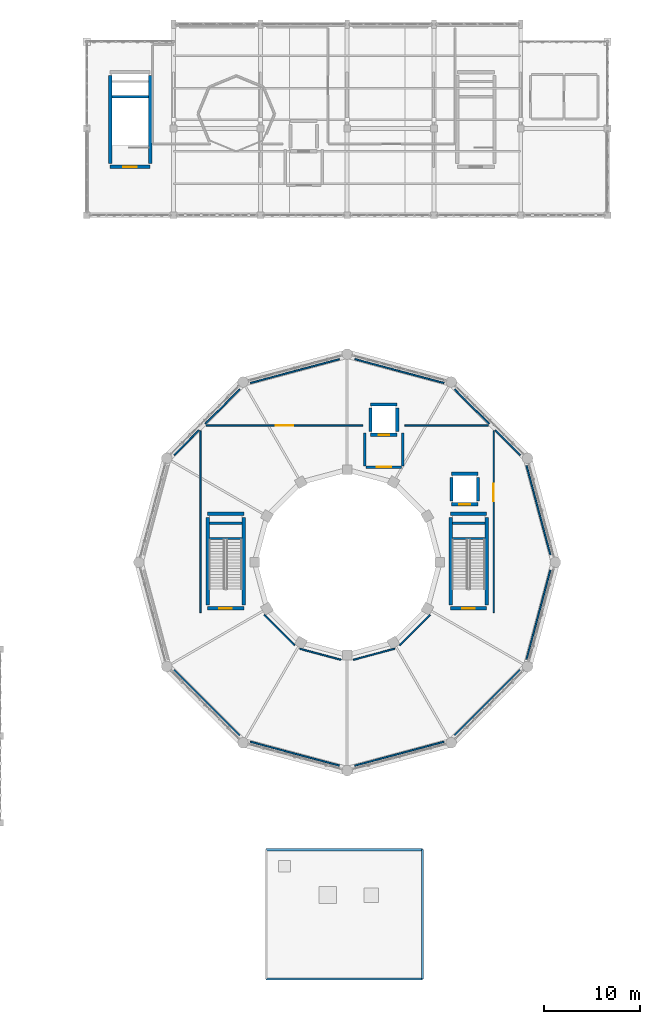
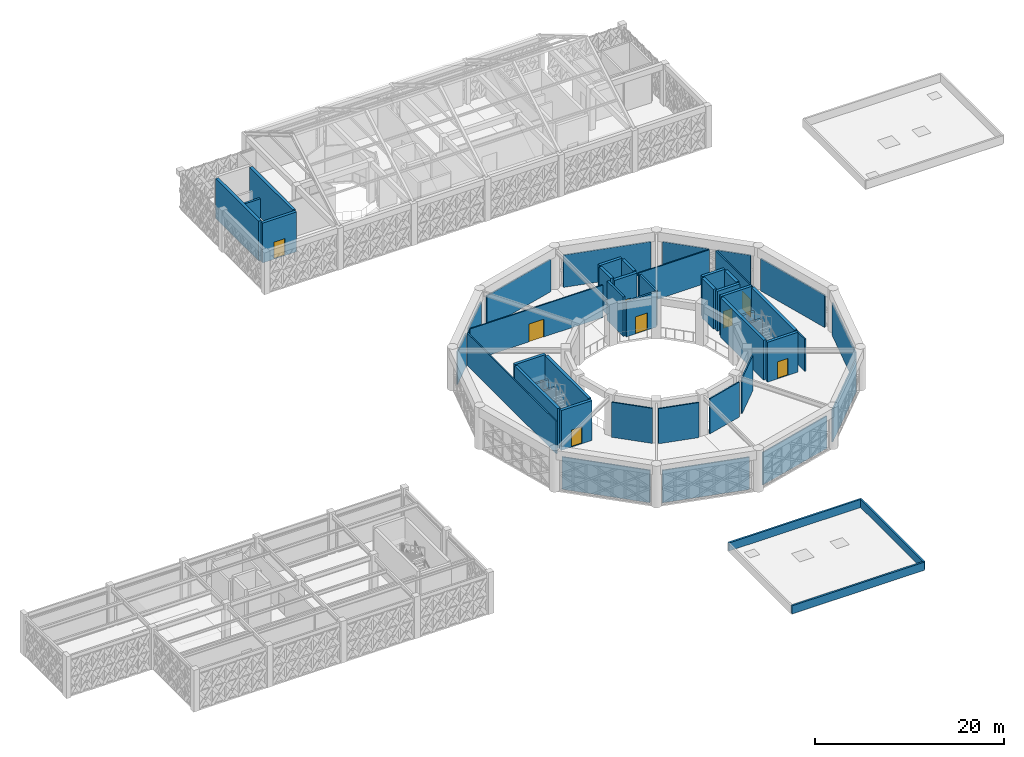
# One storey, part 65 of 72: 50 walls, 8 doors, 8 openings.
"""IFC4 building model written with IfcOpenShell, lengths in metres."""

from ifc_helpers import new_model, si_unit, direction, frame, frame_2d, origin, place, context, subcontext, project, spatial, rectangle, extrude, material, layer, layer_set, type_object, element, fill, save


model = new_model("IFC4")

# Units and contexts
model_context = context("Model", 3, precision=1e-05, world=origin(), true_north=direction((0.0, 1.0)))
body_context = subcontext(model_context, "Body", "Model", "MODEL_VIEW")
ifc_project = project(units=[si_unit("LENGTHUNIT", "METRE"), si_unit("AREAUNIT", "SQUARE_METRE"), si_unit("VOLUMEUNIT", "CUBIC_METRE"), si_unit("PLANEANGLEUNIT", "RADIAN"), si_unit("MASSUNIT", "GRAM", prefix="KILO")], contexts=[model_context])

# Site, building, storey
site_placement = place(None, origin())
site = spatial("IfcSite", under=ifc_project, at=site_placement, CompositionType="ELEMENT")
building_placement = place(site_placement, origin())
building = spatial("IfcBuilding", under=site, at=building_placement, Name="Haizhuo Lancet Aquarium", CompositionType="ELEMENT")
storey_placement = place(building_placement, frame((0.0, 0.0, 21.60009765625)))
storey = spatial("IfcBuildingStorey", under=building, at=storey_placement, Name="L04", CompositionType="ELEMENT", Elevation=21.60009765625)

# Walls
ifc_material_1 = material(Name="Shandong Grey Limestone Ashlar", Category="masonry")
ifc_layer_1 = layer(ifc_material_1, 0.219970703125)
ifc_layer_set_1 = layer_set([ifc_layer_1], Name="Shandong Grey Limestone Ashlar")
wall_type_1 = type_object("IfcWallType", Name="EWL-PAR-220", PredefinedType="PARAPET", material=ifc_layer_set_1)
wall_1_placement = place(storey_placement, frame((-8.39990234375, -29.800048828125, 0.0), z_axis=(0.0, 0.0, 1.0), x_axis=(1.0, 0.0, 0.0)))
element("IfcWall", 1, at=wall_1_placement, inside=storey, type_object=wall_type_1, Name="L04 V4 penthouse roof parapet 1", PredefinedType="PARAPET", context=body_context, shape_type="SweptSolid", body=[
    extrude(rectangle(XDim=16.199951171875, YDim=0.219970703125, at=frame_2d((8.10009765625, 0.0))), origin(), (0.0, 0.0, 1.0), 1.0498046875),
])
wall_2_placement = place(storey_placement, frame((7.800048828125, -29.800048828125, 0.0), z_axis=(0.0, 0.0, 1.0), x_axis=(0.0, -1.0, 0.0)))
element("IfcWall", 2, at=wall_2_placement, inside=storey, type_object=wall_type_1, Name="L04 V4 penthouse roof parapet 2", PredefinedType="PARAPET", context=body_context, shape_type="SweptSolid", body=[
    extrude(rectangle(XDim=13.39990234375, YDim=0.219970703125, at=frame_2d((6.699951171875, 0.0))), origin(), (0.0, 0.0, 1.0), 1.0498046875),
])
wall_3_placement = place(storey_placement, frame((7.800048828125, -43.199951171875, 0.0), z_axis=(0.0, 0.0, 1.0), x_axis=(-1.0, 0.0, 0.0)))
element("IfcWall", 3, at=wall_3_placement, inside=storey, type_object=wall_type_1, Name="L04 V4 penthouse roof parapet 3", PredefinedType="PARAPET", context=body_context, shape_type="SweptSolid", body=[
    extrude(rectangle(XDim=16.199951171875, YDim=0.219970703125, at=frame_2d((8.10009765625, 0.0))), origin(), (0.0, 0.0, 1.0), 1.0498046875),
])

# Wall, opening, door
ifc_material_2 = material(Name="Concrete C40/50", Category="concrete")
ifc_layer_2 = layer(ifc_material_2, 0.239990234375)
ifc_layer_set_2 = layer_set([ifc_layer_2], Name="Concrete C40/50")
wall_type_2 = type_object("IfcWallType", Name="IWL-FIRE-240", PredefinedType="PARTITIONING", material=ifc_layer_set_2)
wall_4_placement = place(storey_placement, frame((1.949951171875, 9.8798828125, 0.0), z_axis=(0.0, 0.0, 1.0), x_axis=(1.0, 0.0, 0.0)))
wall_4 = element("IfcWall", 4, at=wall_4_placement, inside=storey, type_object=wall_type_2, Name="L04 LF-01 firefighting lift lobby firewall S", PredefinedType="PARTITIONING", context=body_context, shape_type="SweptSolid", body=[
    extrude(rectangle(XDim=3.699951171875, YDim=0.239990234375, at=frame_2d((1.85009765625, 0.0))), origin(), (0.0, 0.0, 1.0), 4.534912109375),
])
opening_1_placement = place(wall_4_placement, frame((1.10009765625, 0.0, 0.0)))
opening_1 = element("IfcOpeningElement", 5, at=opening_1_placement, cuts=wall_4, Name="Opening FD-03", PredefinedType="OPENING", context=body_context, shape_type="SweptSolid", body=[
    extrude(rectangle(XDim=1.5, YDim=2.199951171875, at=frame_2d((0.75, 1.10009765625))), frame((0.0, 0.1298828125, 0.0), z_axis=(0.0, -1.0, 0.0), x_axis=(1.0, 0.0, 0.0)), (0.0, 0.0, 1.0), 0.25999),
])
ifc_material_3 = material(Name="Steel S355", Category="steel")
door_type_1 = type_object("IfcDoorType", Name="IDR-FFL-1500x2200", OperationType="NOTDEFINED", PredefinedType="DOOR", material=ifc_material_3)
door_1_placement = place(opening_1_placement, origin())
door_1 = element("IfcDoor", 6, at=door_1_placement, inside=storey, type_object=door_type_1, Name="L04 LF-01 firefighting lift lobby door", OperationType="SINGLE_SWING_RIGHT", OverallHeight=2.199951171875, OverallWidth=1.5, PredefinedType="DOOR", context=body_context, shape_type="SweptSolid", body=[
    extrude(rectangle(XDim=1.5, YDim=2.199951171875, at=frame_2d((0.75, 1.10009765625))), frame((0.0, 0.02490234375, 0.0), z_axis=(0.0, -1.0, 0.0), x_axis=(1.0, 0.0, 0.0)), (0.0, 0.0, 1.0), 0.050048828125),
])
fill(opening_1, door_1)

# Walls
wall_5_placement = place(storey_placement, frame((1.830078125, 10.0, 0.0), z_axis=(0.0, 0.0, 1.0), x_axis=(0.0, 1.0, 0.0)))
element("IfcWall", 7, at=wall_5_placement, inside=storey, type_object=wall_type_2, Name="L04 LF-01 firefighting lift lobby firewall W", PredefinedType="PARTITIONING", context=body_context, shape_type="SweptSolid", body=[
    extrude(rectangle(XDim=3.39990234375, YDim=0.239990234375, at=frame_2d((1.699951171875, 0.0))), origin(), (0.0, 0.0, 1.0), 5.099853515625),
])
wall_6_placement = place(storey_placement, frame((5.77001953125, 10.0, 0.0), z_axis=(0.0, 0.0, 1.0), x_axis=(0.0, 1.0, 0.0)))
element("IfcWall", 8, at=wall_6_placement, inside=storey, type_object=wall_type_2, Name="L04 LF-01 firefighting lift lobby firewall E", PredefinedType="PARTITIONING", context=body_context, shape_type="SweptSolid", body=[
    extrude(rectangle(XDim=3.39990234375, YDim=0.239990234375, at=frame_2d((1.699951171875, 0.0))), origin(), (0.0, 0.0, 1.0), 4.534912109375),
])
ifc_material_4 = material(Name="Gypsum Fireboard Partition")
ifc_layer_3 = layer(ifc_material_4, 0.14990234375)
ifc_layer_set_3 = layer_set([ifc_layer_3], Name="Gypsum Fireboard Partition")
wall_type_3 = type_object("IfcWallType", Name="IWL-STD-150", PredefinedType="PARTITIONING", material=ifc_layer_set_3)
wall_7_placement = place(storey_placement, frame((-17.946044921875, -11.135009765625, 0.0), z_axis=(0.0, 0.0, 1.0), x_axis=(0.707056083443, -0.707157475295, 0.0)))
element("IfcWall", 9, at=wall_7_placement, inside=storey, type_object=wall_type_3, Name="L04 partition wall 523", PredefinedType="PARTITIONING", context=body_context, shape_type="SweptSolid", body=[
    extrude(rectangle(XDim=9.631591796875, YDim=0.14990234375, at=frame_2d((4.81591796875, 0.0))), origin(), (0.0, 0.0, 1.0), 4.184814453125),
])
wall_8_placement = place(storey_placement, frame((-10.0400390625, -18.59912109375, 0.0), z_axis=(0.0, 0.0, 1.0), x_axis=(0.965936310931, -0.258779912716, 0.0)))
element("IfcWall", 10, at=wall_8_placement, inside=storey, type_object=wall_type_3, Name="L04 partition wall 524", PredefinedType="PARTITIONING", context=body_context, shape_type="SweptSolid", body=[
    extrude(rectangle(XDim=9.559814453125, YDim=0.14990234375, at=frame_2d((4.77978515625, 0.0))), origin(), (0.0, 0.0, 1.0), 4.184814453125),
])
wall_9_placement = place(storey_placement, frame((0.787109375, -21.076904296875, 0.0), z_axis=(0.0, 0.0, 1.0), x_axis=(0.965965793981, 0.258669837549, 0.0)))
element("IfcWall", 11, at=wall_9_placement, inside=storey, type_object=wall_type_3, Name="L04 partition wall 525", PredefinedType="PARTITIONING", context=body_context, shape_type="SweptSolid", body=[
    extrude(rectangle(XDim=9.578857421875, YDim=0.14990234375, at=frame_2d((4.78955078125, 0.0))), origin(), (0.0, 0.0, 1.0), 4.184814453125),
])
wall_10_placement = place(storey_placement, frame((11.12890625, -17.946044921875, 0.0), z_axis=(0.0, 0.0, 1.0), x_axis=(0.707474066545, 0.706739304953, 0.0)))
element("IfcWall", 12, at=wall_10_placement, inside=storey, type_object=wall_type_3, Name="L04 partition wall 526", PredefinedType="PARTITIONING", context=body_context, shape_type="SweptSolid", body=[
    extrude(rectangle(XDim=9.635986328125, YDim=0.14990234375, at=frame_2d((4.81787109375, 0.0))), origin(), (0.0, 0.0, 1.0), 4.184814453125),
])
wall_11_placement = place(storey_placement, frame((18.59912109375, -10.0400390625, 0.0), z_axis=(0.0, 0.0, 1.0), x_axis=(0.258779912716, 0.965936310931, 0.0)))
element("IfcWall", 13, at=wall_11_placement, inside=storey, type_object=wall_type_3, Name="L04 partition wall 527", PredefinedType="PARTITIONING", context=body_context, shape_type="SweptSolid", body=[
    extrude(rectangle(XDim=9.559814453125, YDim=0.14990234375, at=frame_2d((4.77978515625, 0.0))), origin(), (0.0, 0.0, 1.0), 4.184814453125),
])
wall_12_placement = place(storey_placement, frame((21.076904296875, 0.787109375, 0.0), z_axis=(0.0, 0.0, 1.0), x_axis=(-0.258883855342, 0.965908458107, 0.0)))
element("IfcWall", 14, at=wall_12_placement, inside=storey, type_object=wall_type_3, Name="L04 partition wall 528", PredefinedType="PARTITIONING", context=body_context, shape_type="SweptSolid", body=[
    extrude(rectangle(XDim=9.57958984375, YDim=0.14990234375, at=frame_2d((4.789794921875, 0.0))), origin(), (0.0, 0.0, 1.0), 4.184814453125),
])
wall_13_placement = place(storey_placement, frame((17.946044921875, 11.135009765625, 0.0), z_axis=(0.0, 0.0, 1.0), x_axis=(-0.706972707094, 0.707240829862, 0.0)))
element("IfcWall", 15, at=wall_13_placement, inside=storey, type_object=wall_type_3, Name="L04 partition wall 529", PredefinedType="PARTITIONING", context=body_context, shape_type="SweptSolid", body=[
    extrude(rectangle(XDim=3.642333984375, YDim=0.14990234375, at=frame_2d((1.8212890625, 0.0))), origin(), (0.0, 0.0, 1.0), 4.184814453125),
])

# Wall, opening, door
wall_14_placement = place(storey_placement, frame((15.199951171875, 13.639892578125, 0.0), z_axis=(0.0, 0.0, 1.0), x_axis=(0.0, -1.0, 0.0)))
wall_14 = element("IfcWall", 16, at=wall_14_placement, inside=storey, type_object=wall_type_3, Name="L04 partition wall 530", PredefinedType="PARTITIONING", context=body_context, shape_type="SweptSolid", body=[
    extrude(rectangle(XDim=18.83984375, YDim=0.14990234375, at=frame_2d((9.419921875, 0.0))), origin(), (0.0, 0.0, 1.0), 4.184814453125),
])
opening_2_placement = place(wall_14_placement, frame((5.506103515625, 0.0, 0.0)))
opening_2 = element("IfcOpeningElement", 17, at=opening_2_placement, cuts=wall_14, Name="Opening D-02", PredefinedType="OPENING", context=body_context, shape_type="SweptSolid", body=[
    extrude(rectangle(XDim=1.800048828125, YDim=2.300048828125, at=frame_2d((0.89990234375, 1.14990234375))), frame((0.0, 0.0849609375, 0.0), z_axis=(0.0, -1.0, 0.0), x_axis=(1.0, 0.0, 0.0)), (0.0, 0.0, 1.0), 0.169902),
])
ifc_material_5 = material(Name="Aluminium 6063-T6", Category="aluminium")
door_type_2 = type_object("IfcDoorType", Name="IDR-GAL-1800x2300", OperationType="NOTDEFINED", PredefinedType="DOOR", material=ifc_material_5)
door_2_placement = place(opening_2_placement, origin())
door_2 = element("IfcDoor", 18, at=door_2_placement, inside=storey, type_object=door_type_2, Name="L04 Ocean Tank Surface Overlook Gallery door", OperationType="DOUBLE_DOOR_SINGLE_SWING", OverallHeight=2.300048828125, OverallWidth=1.800048828125, PredefinedType="DOOR", context=body_context, shape_type="SweptSolid", body=[
    extrude(rectangle(XDim=1.800048828125, YDim=2.300048828125, at=frame_2d((0.89990234375, 1.14990234375))), frame((0.0, 0.02490234375, 0.0), z_axis=(0.0, -1.0, 0.0), x_axis=(1.0, 0.0, 0.0)), (0.0, 0.0, 1.0), 0.050048828125),
])
fill(opening_2, door_2)

# Walls
wall_15_placement = place(storey_placement, frame((8.593017578125, -5.43994140625, 0.0), z_axis=(0.0, 0.0, 1.0), x_axis=(-0.707106781187, -0.707106781187, 0.0)))
element("IfcWall", 19, at=wall_15_placement, inside=storey, type_object=wall_type_3, Name="L04 partition wall 531", PredefinedType="PARTITIONING", context=body_context, shape_type="SweptSolid", body=[
    extrude(rectangle(XDim=4.459228515625, YDim=0.14990234375, at=frame_2d((2.2294921875, 0.0))), origin(), (0.0, 0.0, 1.0), 4.534912109375),
])
for number, where, z_axis, x_axis, name in (
    (20, (4.922119140625, -8.9541015625, 0.0), (0.0, 0.0, 1.0), (-0.965895929323, -0.258930596333, 0.0), "L04 partition wall 532"),
    (21, (-0.639892578125, -10.10205078125, 0.0), (0.0, 0.0, 1.0), (-0.965895929323, 0.258930596333, 0.0), "L04 partition wall 533"),
):
    element("IfcWall", number, at=place(storey_placement, frame(where, z_axis=z_axis, x_axis=x_axis)), inside=storey, type_object=wall_type_3, Name=name, PredefinedType="PARTITIONING", context=body_context, shape_type="SweptSolid", body=[
        extrude(rectangle(XDim=4.433349609375, YDim=0.14990234375, at=frame_2d((2.216796875, 0.0))), origin(), (0.0, 0.0, 1.0), 4.534912109375),
    ])
wall_16_placement = place(storey_placement, frame((-5.43994140625, -8.593017578125, 0.0), z_axis=(0.0, 0.0, 1.0), x_axis=(-0.707106781187, 0.707106781187, 0.0)))
element("IfcWall", 22, at=wall_16_placement, inside=storey, type_object=wall_type_3, Name="L04 partition wall 534", PredefinedType="PARTITIONING", context=body_context, shape_type="SweptSolid", body=[
    extrude(rectangle(XDim=4.459228515625, YDim=0.14990234375, at=frame_2d((2.2294921875, 0.0))), origin(), (0.0, 0.0, 1.0), 4.534912109375),
])
wall_17_placement = place(storey_placement, frame((-15.199951171875, -5.199951171875, 0.0), z_axis=(0.0, 0.0, 1.0), x_axis=(0.0, 1.0, 0.0)))
element("IfcWall", 23, at=wall_17_placement, inside=storey, type_object=wall_type_3, Name="L04 partition wall 535", PredefinedType="PARTITIONING", context=body_context, shape_type="SweptSolid", body=[
    extrude(rectangle(XDim=18.83984375, YDim=0.14990234375, at=frame_2d((9.419921875, 0.0))), origin(), (0.0, 0.0, 1.0), 4.184814453125),
])
wall_18_placement = place(storey_placement, frame((-15.37109375, 13.7109375, 0.0), z_axis=(0.0, 0.0, 1.0), x_axis=(-0.706972707094, -0.707240829862, 0.0)))
element("IfcWall", 24, at=wall_18_placement, inside=storey, type_object=wall_type_3, Name="L04 partition wall 536", PredefinedType="PARTITIONING", context=body_context, shape_type="SweptSolid", body=[
    extrude(rectangle(XDim=3.642333984375, YDim=0.14990234375, at=frame_2d((1.8212890625, 0.0))), origin(), (0.0, 0.0, 1.0), 4.184814453125),
])

# Wall, opening, door
wall_19_placement = place(storey_placement, frame((-14.639892578125, 14.199951171875, 0.0), z_axis=(0.0, 0.0, 1.0), x_axis=(1.0, 0.0, 0.0)))
wall_19 = element("IfcWall", 25, at=wall_19_placement, inside=storey, type_object=wall_type_3, Name="L04 partition wall 538", PredefinedType="PARTITIONING", context=body_context, shape_type="SweptSolid", body=[
    extrude(rectangle(XDim=16.264892578125, YDim=0.14990234375, at=frame_2d((8.13232421875, 0.0))), origin(), (0.0, 0.0, 1.0), 4.184814453125),
])
opening_3_placement = place(wall_19_placement, frame((7.23193359375, 0.0, 0.0)))
opening_3 = element("IfcOpeningElement", 26, at=opening_3_placement, cuts=wall_19, Name="Opening D-02", PredefinedType="OPENING", context=body_context, shape_type="SweptSolid", body=[
    extrude(rectangle(XDim=1.800048828125, YDim=2.300048828125, at=frame_2d((0.89990234375, 1.14990234375))), frame((0.0, 0.0849609375, 0.0), z_axis=(0.0, -1.0, 0.0), x_axis=(1.0, 0.0, 0.0)), (0.0, 0.0, 1.0), 0.169902),
])
door_3_placement = place(opening_3_placement, origin())
door_3 = element("IfcDoor", 27, at=door_3_placement, inside=storey, type_object=door_type_2, Name="L04 Ocean Tank Surface Overlook Gallery door", OperationType="DOUBLE_DOOR_SINGLE_SWING", OverallHeight=2.300048828125, OverallWidth=1.800048828125, PredefinedType="DOOR", context=body_context, shape_type="SweptSolid", body=[
    extrude(rectangle(XDim=1.800048828125, YDim=2.300048828125, at=frame_2d((0.89990234375, 1.14990234375))), frame((0.0, 0.02490234375, 0.0), z_axis=(0.0, -1.0, 0.0), x_axis=(1.0, 0.0, 0.0)), (0.0, 0.0, 1.0), 0.050048828125),
])
fill(opening_3, door_3)

# Walls
wall_20_placement = place(storey_placement, frame((5.97509765625, 14.201904296875, 0.0), z_axis=(0.0, 0.0, 1.0), x_axis=(0.999999974595, -0.000225409253, 0.0)))
element("IfcWall", 28, at=wall_20_placement, inside=storey, type_object=wall_type_3, Name="L04 partition wall 539", PredefinedType="PARTITIONING", context=body_context, shape_type="SweptSolid", body=[
    extrude(rectangle(XDim=8.664794921875, YDim=0.14990234375, at=frame_2d((4.33251953125, 0.0))), origin(), (0.0, 0.0, 1.0), 4.184814453125),
])
wall_21_placement = place(storey_placement, frame((14.7109375, 14.37109375, 0.0), z_axis=(0.0, 0.0, 1.0), x_axis=(-0.707203340899, 0.707010208287, 0.0)))
element("IfcWall", 29, at=wall_21_placement, inside=storey, type_object=wall_type_3, Name="L04 partition wall 540", PredefinedType="PARTITIONING", context=body_context, shape_type="SweptSolid", body=[
    extrude(rectangle(XDim=5.056396484375, YDim=0.14990234375, at=frame_2d((2.5283203125, 0.0))), origin(), (0.0, 0.0, 1.0), 4.184814453125),
])
wall_22_placement = place(storey_placement, frame((10.0400390625, 18.596923828125, 0.0), z_axis=(0.0, 0.0, 1.0), x_axis=(-0.965872416838, 0.259018289684, 0.0)))
element("IfcWall", 30, at=wall_22_placement, inside=storey, type_object=wall_type_3, Name="L04 partition wall 541", PredefinedType="PARTITIONING", context=body_context, shape_type="SweptSolid", body=[
    extrude(rectangle(XDim=9.57080078125, YDim=0.14990234375, at=frame_2d((4.785400390625, 0.0))), origin(), (0.0, 0.0, 1.0), 4.184814453125),
])
wall_23_placement = place(storey_placement, frame((-0.805908203125, 21.072998046875, 0.0), z_axis=(0.0, 0.0, 1.0), x_axis=(-0.965936310931, -0.258779912716, 0.0)))
element("IfcWall", 31, at=wall_23_placement, inside=storey, type_object=wall_type_3, Name="L04 partition wall 542", PredefinedType="PARTITIONING", context=body_context, shape_type="SweptSolid", body=[
    extrude(rectangle(XDim=9.559814453125, YDim=0.14990234375, at=frame_2d((4.77978515625, 0.0))), origin(), (0.0, 0.0, 1.0), 4.184814453125),
])
wall_24_placement = place(storey_placement, frame((-11.135986328125, 17.946044921875, 0.0), z_axis=(0.0, 0.0, 1.0), x_axis=(-0.707106781187, -0.707106781187, 0.0)))
element("IfcWall", 32, at=wall_24_placement, inside=storey, type_object=wall_type_3, Name="L04 partition wall 543", PredefinedType="PARTITIONING", context=body_context, shape_type="SweptSolid", body=[
    extrude(rectangle(XDim=5.0556640625, YDim=0.14990234375, at=frame_2d((2.52783203125, 0.0))), origin(), (0.0, 0.0, 1.0), 4.184814453125),
])
ifc_layer_4 = layer(ifc_material_2, 0.35009765625)
ifc_layer_set_4 = layer_set([ifc_layer_4], Name="Concrete C40/50")
wall_type_4 = type_object("IfcWallType", Name="WL-CORE-350", PredefinedType="SHEAR", material=ifc_layer_set_4)
for number, where, z_axis, x_axis, name in (
    (33, (-14.300048828125, 2.47509765625, 0.0), (0.0, 0.0, 1.0), (1.0, 0.0, 0.0), "L04 ST-01 landing support wall"),
    (34, (-14.300048828125, 4.074951171875, 0.0), (0.0, 0.0, 1.0), (1.0, 0.0, 0.0), "L04 ST-01 far landing support wall"),
):
    element("IfcWall", number, at=place(storey_placement, frame(where, z_axis=z_axis, x_axis=x_axis)), inside=storey, type_object=wall_type_4, Name=name, PredefinedType="SHEAR", context=body_context, shape_type="SweptSolid", body=[
        extrude(rectangle(XDim=3.400146484375, YDim=0.25, at=frame_2d((1.7001953125, 0.0))), origin(), (0.0, 0.0, 1.0), 2.5),
    ])

# Wall, opening, door
wall_25_placement = place(storey_placement, frame((-14.47509765625, -4.77490234375, 0.0), z_axis=(0.0, 0.0, 1.0), x_axis=(1.0, 0.0, 0.0)))
wall_25 = element("IfcWall", 35, at=wall_25_placement, inside=storey, type_object=wall_type_4, Name="L04 ST-01 core shear wall S", PredefinedType="SHEAR", context=body_context, shape_type="SweptSolid", body=[
    extrude(rectangle(XDim=3.75, YDim=0.35009765625, at=frame_2d((1.875, 0.0))), origin(), (0.0, 0.0, 1.0), 5.14990234375),
])
opening_4_placement = place(wall_25_placement, frame((1.22509765625, 0.0, 0.0)))
opening_4 = element("IfcOpeningElement", 36, at=opening_4_placement, cuts=wall_25, Name="Opening FD-02", PredefinedType="OPENING", context=body_context, shape_type="SweptSolid", body=[
    extrude(rectangle(XDim=1.300048828125, YDim=2.199951171875, at=frame_2d((0.64990234375, 1.10009765625))), frame((0.0, 0.18505859375, 0.0), z_axis=(0.0, -1.0, 0.0), x_axis=(1.0, 0.0, 0.0)), (0.0, 0.0, 1.0), 0.370098),
])
door_type_3 = type_object("IfcDoorType", Name="IDR-STAIR-1300x2200", OperationType="NOTDEFINED", PredefinedType="DOOR", material=ifc_material_3)
door_4_placement = place(opening_4_placement, origin())
door_4 = element("IfcDoor", 37, at=door_4_placement, inside=storey, type_object=door_type_3, Name="L04 ST-01 stairwell fire door", OperationType="SINGLE_SWING_RIGHT", OverallHeight=2.199951171875, OverallWidth=1.300048828125, PredefinedType="DOOR", context=body_context, shape_type="SweptSolid", body=[
    extrude(rectangle(XDim=1.300048828125, YDim=2.199951171875, at=frame_2d((0.64990234375, 1.10009765625))), frame((0.0, 0.02490234375, 0.0), z_axis=(0.0, -1.0, 0.0), x_axis=(1.0, 0.0, 0.0)), (0.0, 0.0, 1.0), 0.050048828125),
])
fill(opening_4, door_4)

# Walls
wall_26_placement = place(storey_placement, frame((-14.47509765625, 5.02490234375, 0.0), z_axis=(0.0, 0.0, 1.0), x_axis=(1.0, 0.0, 0.0)))
element("IfcWall", 38, at=wall_26_placement, inside=storey, type_object=wall_type_4, Name="L04 ST-01 core shear wall N", PredefinedType="SHEAR", context=body_context, shape_type="SweptSolid", body=[
    extrude(rectangle(XDim=3.75, YDim=0.35009765625, at=frame_2d((1.875, 0.0))), origin(), (0.0, 0.0, 1.0), 5.14990234375),
])
for number, where, z_axis, x_axis, name in (
    (39, (-14.47509765625, -4.425048828125, 0.0), (0.0, 0.0, 1.0), (0.0, 1.0, 0.0), "L04 ST-01 core shear wall W"),
    (40, (-10.72509765625, -4.425048828125, 0.0), (0.0, 0.0, 1.0), (0.0, 1.0, 0.0), "L04 ST-01 core shear wall E"),
):
    element("IfcWall", number, at=place(storey_placement, frame(where, z_axis=z_axis, x_axis=x_axis)), inside=storey, type_object=wall_type_4, Name=name, PredefinedType="SHEAR", context=body_context, shape_type="SweptSolid", body=[
        extrude(rectangle(XDim=9.10009765625, YDim=0.35009765625, at=frame_2d((4.550048828125, 0.0))), origin(), (0.0, 0.0, 1.0), 5.14990234375),
    ])
for number, where, z_axis, x_axis, name in (
    (41, (10.89990234375, 2.47509765625, 0.0), (0.0, 0.0, 1.0), (1.0, 0.0, 0.0), "L04 ST-02 landing support wall"),
    (42, (10.89990234375, 4.074951171875, 0.0), (0.0, 0.0, 1.0), (1.0, 0.0, 0.0), "L04 ST-02 far landing support wall"),
):
    element("IfcWall", number, at=place(storey_placement, frame(where, z_axis=z_axis, x_axis=x_axis)), inside=storey, type_object=wall_type_4, Name=name, PredefinedType="SHEAR", context=body_context, shape_type="SweptSolid", body=[
        extrude(rectangle(XDim=3.400146484375, YDim=0.25, at=frame_2d((1.7001953125, 0.0))), origin(), (0.0, 0.0, 1.0), 2.5),
    ])

# Wall, opening, door
wall_27_placement = place(storey_placement, frame((10.72509765625, -4.77490234375, 0.0), z_axis=(0.0, 0.0, 1.0), x_axis=(1.0, 0.0, 0.0)))
wall_27 = element("IfcWall", 43, at=wall_27_placement, inside=storey, type_object=wall_type_4, Name="L04 ST-02 core shear wall S", PredefinedType="SHEAR", context=body_context, shape_type="SweptSolid", body=[
    extrude(rectangle(XDim=3.75, YDim=0.35009765625, at=frame_2d((1.875, 0.0))), origin(), (0.0, 0.0, 1.0), 5.14990234375),
])
opening_5_placement = place(wall_27_placement, frame((1.22509765625, 0.0, 0.0)))
opening_5 = element("IfcOpeningElement", 44, at=opening_5_placement, cuts=wall_27, Name="Opening FD-02", PredefinedType="OPENING", context=body_context, shape_type="SweptSolid", body=[
    extrude(rectangle(XDim=1.300048828125, YDim=2.199951171875, at=frame_2d((0.64990234375, 1.10009765625))), frame((0.0, 0.18505859375, 0.0), z_axis=(0.0, -1.0, 0.0), x_axis=(1.0, 0.0, 0.0)), (0.0, 0.0, 1.0), 0.370098),
])
door_5_placement = place(opening_5_placement, origin())
door_5 = element("IfcDoor", 45, at=door_5_placement, inside=storey, type_object=door_type_3, Name="L04 ST-02 stairwell fire door", OperationType="SINGLE_SWING_LEFT", OverallHeight=2.199951171875, OverallWidth=1.300048828125, PredefinedType="DOOR", context=body_context, shape_type="SweptSolid", body=[
    extrude(rectangle(XDim=1.300048828125, YDim=2.199951171875, at=frame_2d((0.64990234375, 1.10009765625))), frame((0.0, 0.02490234375, 0.0), z_axis=(0.0, -1.0, 0.0), x_axis=(1.0, 0.0, 0.0)), (0.0, 0.0, 1.0), 0.050048828125),
])
fill(opening_5, door_5)

# Walls
wall_28_placement = place(storey_placement, frame((10.72509765625, 5.02490234375, 0.0), z_axis=(0.0, 0.0, 1.0), x_axis=(1.0, 0.0, 0.0)))
element("IfcWall", 46, at=wall_28_placement, inside=storey, type_object=wall_type_4, Name="L04 ST-02 core shear wall N", PredefinedType="SHEAR", context=body_context, shape_type="SweptSolid", body=[
    extrude(rectangle(XDim=3.75, YDim=0.35009765625, at=frame_2d((1.875, 0.0))), origin(), (0.0, 0.0, 1.0), 5.14990234375),
])
for number, where, z_axis, x_axis, name in (
    (47, (10.72509765625, -4.425048828125, 0.0), (0.0, 0.0, 1.0), (0.0, 1.0, 0.0), "L04 ST-02 core shear wall W"),
    (48, (14.47509765625, -4.425048828125, 0.0), (0.0, 0.0, 1.0), (0.0, 1.0, 0.0), "L04 ST-02 core shear wall E"),
):
    element("IfcWall", number, at=place(storey_placement, frame(where, z_axis=z_axis, x_axis=x_axis)), inside=storey, type_object=wall_type_4, Name=name, PredefinedType="SHEAR", context=body_context, shape_type="SweptSolid", body=[
        extrude(rectangle(XDim=9.10009765625, YDim=0.35009765625, at=frame_2d((4.550048828125, 0.0))), origin(), (0.0, 0.0, 1.0), 5.14990234375),
    ])
wall_29_placement = place(storey_placement, frame((-24.39990234375, 48.27490234375, 0.0), z_axis=(0.0, 0.0, 1.0), x_axis=(1.0, 0.0, 0.0)))
element("IfcWall", 49, at=wall_29_placement, inside=storey, type_object=wall_type_4, Name="L04 ST-07 landing support wall", PredefinedType="SHEAR", context=body_context, shape_type="SweptSolid", body=[
    extrude(rectangle(XDim=3.7998046875, YDim=0.25, at=frame_2d((1.89990234375, 0.0))), origin(), (0.0, 0.0, 1.0), 2.5),
])

# Wall, opening, door
wall_30_placement = place(storey_placement, frame((-24.574951171875, 41.02490234375, 0.0), z_axis=(0.0, 0.0, 1.0), x_axis=(1.0, 0.0, 0.0)))
wall_30 = element("IfcWall", 50, at=wall_30_placement, inside=storey, type_object=wall_type_4, Name="L04 ST-07 core shear wall S", PredefinedType="SHEAR", context=body_context, shape_type="SweptSolid", body=[
    extrude(rectangle(XDim=4.14990234375, YDim=0.35009765625, at=frame_2d((2.074951171875, 0.0))), origin(), (0.0, 0.0, 1.0), 5.14990234375),
])
opening_6_placement = place(wall_30_placement, frame((1.375, 0.0, 0.0)))
opening_6 = element("IfcOpeningElement", 51, at=opening_6_placement, cuts=wall_30, Name="Opening FD-01", PredefinedType="OPENING", context=body_context, shape_type="SweptSolid", body=[
    extrude(rectangle(XDim=1.39990234375, YDim=2.199951171875, at=frame_2d((0.699951171875, 1.10009765625))), frame((0.0, 0.18505859375, 0.0), z_axis=(0.0, -1.0, 0.0), x_axis=(1.0, 0.0, 0.0)), (0.0, 0.0, 1.0), 0.370098),
])
door_type_4 = type_object("IfcDoorType", Name="IDR-STAIR-1400x2200", OperationType="NOTDEFINED", PredefinedType="DOOR", material=ifc_material_3)
door_6_placement = place(opening_6_placement, origin())
door_6 = element("IfcDoor", 52, at=door_6_placement, inside=storey, type_object=door_type_4, Name="L04 ST-07 stairwell fire door", OperationType="SINGLE_SWING_RIGHT", OverallHeight=2.199951171875, OverallWidth=1.39990234375, PredefinedType="DOOR", context=body_context, shape_type="SweptSolid", body=[
    extrude(rectangle(XDim=1.39990234375, YDim=2.199951171875, at=frame_2d((0.699951171875, 1.10009765625))), frame((0.0, 0.02490234375, 0.0), z_axis=(0.0, -1.0, 0.0), x_axis=(1.0, 0.0, 0.0)), (0.0, 0.0, 1.0), 0.050048828125),
])
fill(opening_6, door_6)

# Walls
for number, where, z_axis, x_axis, name in (
    (53, (-24.574951171875, 41.375, 0.0), (0.0, 0.0, 1.0), (0.0, 1.0, 0.0), "L04 ST-07 core shear wall W"),
    (54, (-20.425048828125, 41.375, 0.0), (0.0, 0.0, 1.0), (0.0, 1.0, 0.0), "L04 ST-07 core shear wall E"),
):
    element("IfcWall", number, at=place(storey_placement, frame(where, z_axis=z_axis, x_axis=x_axis)), inside=storey, type_object=wall_type_4, Name=name, PredefinedType="SHEAR", context=body_context, shape_type="SweptSolid", body=[
        extrude(rectangle(XDim=9.10009765625, YDim=0.35009765625, at=frame_2d((4.550048828125, 0.0))), origin(), (0.0, 0.0, 1.0), 5.14990234375),
    ])

# Wall, opening, door
wall_31_placement = place(storey_placement, frame((2.425048828125, 13.22509765625, 0.0), z_axis=(0.0, 0.0, 1.0), x_axis=(1.0, 0.0, 0.0)))
wall_31 = element("IfcWall", 55, at=wall_31_placement, inside=storey, type_object=wall_type_4, Name="L04 LF-01 lift shaft wall -Y", PredefinedType="SHEAR", context=body_context, shape_type="SweptSolid", body=[
    extrude(rectangle(XDim=2.75, YDim=0.35009765625, at=frame_2d((1.375, 0.0))), origin(), (0.0, 0.0, 1.0), 5.14990234375),
])
opening_7_placement = place(wall_31_placement, frame((0.824951171875, 0.0, 0.0)))
opening_7 = element("IfcOpeningElement", 56, at=opening_7_placement, cuts=wall_31, Name="Opening LD-01", PredefinedType="OPENING", context=body_context, shape_type="SweptSolid", body=[
    extrude(rectangle(XDim=1.10009765625, YDim=2.199951171875, at=frame_2d((0.550048828125, 1.10009765625))), frame((0.0, 0.18505859375, 0.0), z_axis=(0.0, -1.0, 0.0), x_axis=(1.0, 0.0, 0.0)), (0.0, 0.0, 1.0), 0.370098),
])
door_type_5 = type_object("IfcDoorType", Name="IDR-LIFT-1100x2200", OperationType="NOTDEFINED", PredefinedType="DOOR", material=ifc_material_3)
door_7_placement = place(opening_7_placement, origin())
door_7 = element("IfcDoor", 57, at=door_7_placement, inside=storey, type_object=door_type_5, Name="L04 LF-01 sliding lift landing door", OperationType="DOUBLE_DOOR_SLIDING", OverallHeight=2.199951171875, OverallWidth=1.10009765625, PredefinedType="DOOR", context=body_context, shape_type="SweptSolid", body=[
    extrude(rectangle(XDim=1.10009765625, YDim=2.199951171875, at=frame_2d((0.550048828125, 1.10009765625))), frame((0.0, 0.02490234375, 0.0), z_axis=(0.0, -1.0, 0.0), x_axis=(1.0, 0.0, 0.0)), (0.0, 0.0, 1.0), 0.050048828125),
])
fill(opening_7, door_7)

# Walls
wall_32_placement = place(storey_placement, frame((5.175048828125, 16.375, 0.0), z_axis=(0.0, 0.0, 1.0), x_axis=(-1.0, 0.0, 0.0)))
element("IfcWall", 58, at=wall_32_placement, inside=storey, type_object=wall_type_4, Name="L04 LF-01 lift shaft wall +Y", PredefinedType="SHEAR", context=body_context, shape_type="SweptSolid", body=[
    extrude(rectangle(XDim=2.75, YDim=0.35009765625, at=frame_2d((1.375, 0.0))), origin(), (0.0, 0.0, 1.0), 5.14990234375),
])
for number, where, z_axis, x_axis, name in (
    (59, (2.425048828125, 13.574951171875, 0.0), (0.0, 0.0, 1.0), (0.0, 1.0, 0.0), "L04 LF-01 lift shaft wall -X"),
    (60, (5.175048828125, 13.574951171875, 0.0), (0.0, 0.0, 1.0), (0.0, 1.0, 0.0), "L04 LF-01 lift shaft wall +X"),
):
    element("IfcWall", number, at=place(storey_placement, frame(where, z_axis=z_axis, x_axis=x_axis)), inside=storey, type_object=wall_type_4, Name=name, PredefinedType="SHEAR", context=body_context, shape_type="SweptSolid", body=[
        extrude(rectangle(XDim=2.449951171875, YDim=0.35009765625, at=frame_2d((1.22509765625, 0.0))), origin(), (0.0, 0.0, 1.0), 5.14990234375),
    ])

# Wall, opening, door
wall_33_placement = place(storey_placement, frame((10.824951171875, 6.02490234375, 0.0), z_axis=(0.0, 0.0, 1.0), x_axis=(1.0, 0.0, 0.0)))
wall_33 = element("IfcWall", 61, at=wall_33_placement, inside=storey, type_object=wall_type_4, Name="L04 LP-01 lift shaft wall -Y", PredefinedType="SHEAR", context=body_context, shape_type="SweptSolid", body=[
    extrude(rectangle(XDim=2.75, YDim=0.35009765625, at=frame_2d((1.375, 0.0))), origin(), (0.0, 0.0, 1.0), 5.14990234375),
])
opening_8_placement = place(wall_33_placement, frame((0.824951171875, 0.0, 0.0)))
opening_8 = element("IfcOpeningElement", 62, at=opening_8_placement, cuts=wall_33, Name="Opening LD-01", PredefinedType="OPENING", context=body_context, shape_type="SweptSolid", body=[
    extrude(rectangle(XDim=1.10009765625, YDim=2.199951171875, at=frame_2d((0.550048828125, 1.10009765625))), frame((0.0, 0.18505859375, 0.0), z_axis=(0.0, -1.0, 0.0), x_axis=(1.0, 0.0, 0.0)), (0.0, 0.0, 1.0), 0.370098),
])
door_8_placement = place(opening_8_placement, origin())
door_8 = element("IfcDoor", 63, at=door_8_placement, inside=storey, type_object=door_type_5, Name="L04 LP-01 sliding lift landing door", OperationType="DOUBLE_DOOR_SLIDING", OverallHeight=2.199951171875, OverallWidth=1.10009765625, PredefinedType="DOOR", context=body_context, shape_type="SweptSolid", body=[
    extrude(rectangle(XDim=1.10009765625, YDim=2.199951171875, at=frame_2d((0.550048828125, 1.10009765625))), frame((0.0, 0.02490234375, 0.0), z_axis=(0.0, -1.0, 0.0), x_axis=(1.0, 0.0, 0.0)), (0.0, 0.0, 1.0), 0.050048828125),
])
fill(opening_8, door_8)

# Walls
wall_34_placement = place(storey_placement, frame((13.574951171875, 9.175048828125, 0.0), z_axis=(0.0, 0.0, 1.0), x_axis=(-1.0, 0.0, 0.0)))
element("IfcWall", 64, at=wall_34_placement, inside=storey, type_object=wall_type_4, Name="L04 LP-01 lift shaft wall +Y", PredefinedType="SHEAR", context=body_context, shape_type="SweptSolid", body=[
    extrude(rectangle(XDim=2.75, YDim=0.35009765625, at=frame_2d((1.375, 0.0))), origin(), (0.0, 0.0, 1.0), 5.14990234375),
])
for number, where, z_axis, x_axis, name in (
    (65, (10.824951171875, 6.375, 0.0), (0.0, 0.0, 1.0), (0.0, 1.0, 0.0), "L04 LP-01 lift shaft wall -X"),
    (66, (13.574951171875, 6.375, 0.0), (0.0, 0.0, 1.0), (0.0, 1.0, 0.0), "L04 LP-01 lift shaft wall +X"),
):
    element("IfcWall", number, at=place(storey_placement, frame(where, z_axis=z_axis, x_axis=x_axis)), inside=storey, type_object=wall_type_4, Name=name, PredefinedType="SHEAR", context=body_context, shape_type="SweptSolid", body=[
        extrude(rectangle(XDim=2.449951171875, YDim=0.35009765625, at=frame_2d((1.22509765625, 0.0))), origin(), (0.0, 0.0, 1.0), 5.14990234375),
    ])

save(model, "model.ifc")
